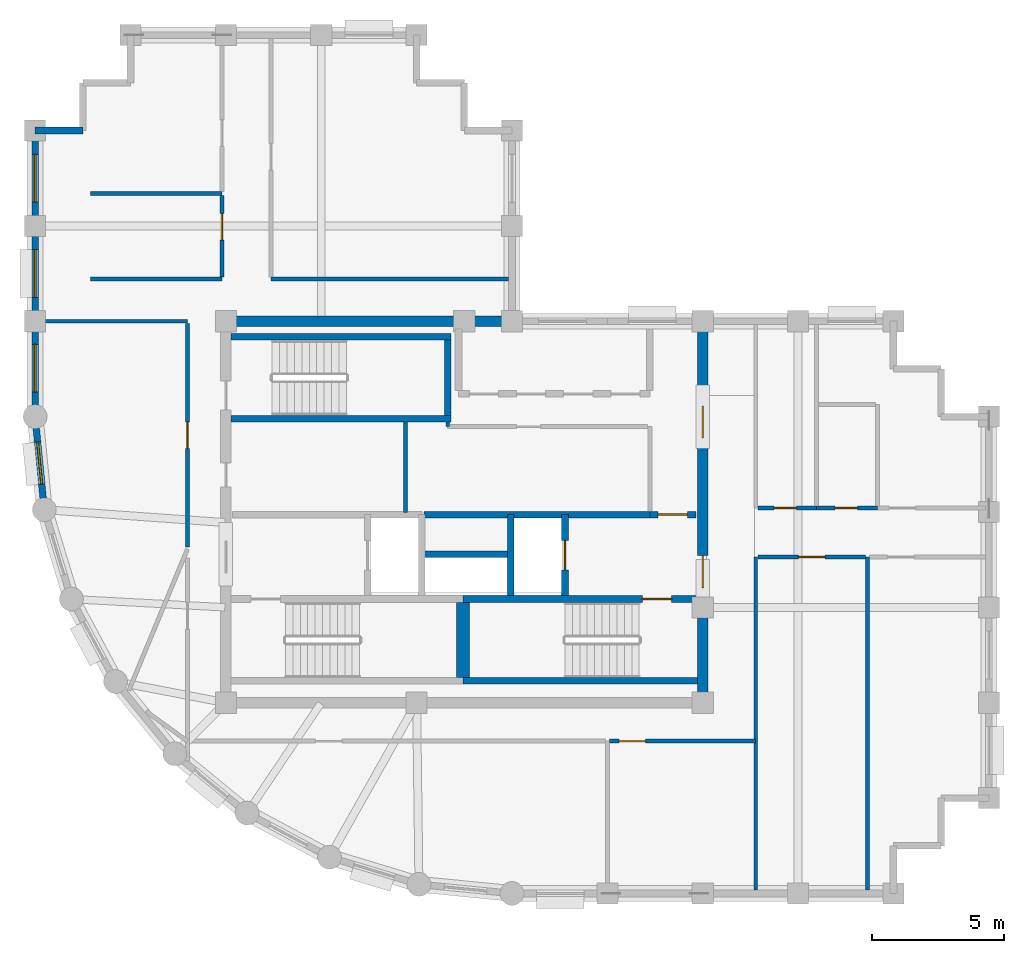
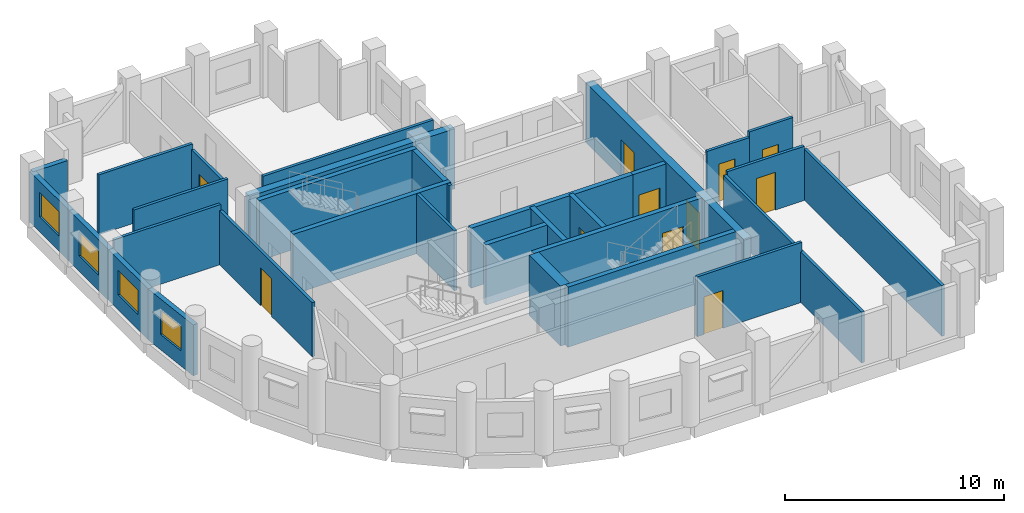
# One storey, part 3 of 7: 32 walls, 11 doors, 4 windows, 15 openings.
"""IFC4 building model written with IfcOpenShell, lengths in metres."""

from ifc_helpers import new_model, si_unit, direction, frame, frame_2d, origin, place, context, subcontext, project, spatial, rectangle, extrude, material, layer, layer_set, type_object, element, fill, save


model = new_model("IFC4")

# Units and contexts
model_context = context("Model", 3, precision=1e-05, world=origin(), true_north=direction((0.0, 1.0)))
body_context = subcontext(model_context, "Body", "Model", "MODEL_VIEW")
ifc_project = project(units=[si_unit("LENGTHUNIT", "METRE"), si_unit("AREAUNIT", "SQUARE_METRE"), si_unit("VOLUMEUNIT", "CUBIC_METRE"), si_unit("PLANEANGLEUNIT", "RADIAN"), si_unit("MASSUNIT", "GRAM", prefix="KILO")], contexts=[model_context])

# Site, building, storey
site_placement = place(None, origin())
site = spatial("IfcSite", under=ifc_project, at=site_placement, CompositionType="ELEMENT")
building_placement = place(site_placement, origin())
building = spatial("IfcBuilding", under=site, at=building_placement, Name="Solnavia Interchange Tower", CompositionType="ELEMENT")
storey_placement = place(building_placement, frame((0.0, 0.0, 259.39990234375)))
storey = spatial("IfcBuildingStorey", under=building, at=storey_placement, Name="L65", CompositionType="ELEMENT", Elevation=259.39990234375)

# Wall
ifc_material_1 = material(Name="Concrete C40/50", Category="concrete")
ifc_layer_1 = layer(ifc_material_1, 0.25)
ifc_layer_set_1 = layer_set([ifc_layer_1], Name="Concrete C40/50")
wall_type_1 = type_object("IfcWallType", Name="Wall-ExtSpandrel-250", PredefinedType="STANDARD", material=ifc_layer_set_1)
wall_1_placement = place(storey_placement, frame((7.199951171875, 32.39990234375, 0.0), z_axis=(0.0, 0.0, 1.0), x_axis=(1.0, 0.0, 0.0)))
element("IfcWall", 1, at=wall_1_placement, inside=storey, type_object=wall_type_1, Name="EXW-L65-33 Exterior precast spandrel wall", PredefinedType="STANDARD", context=body_context, shape_type="SweptSolid", body=[
    extrude(rectangle(XDim=1.800048828125, YDim=0.25, at=frame_2d((0.89990234375, 0.0))), origin(), (0.0, 0.0, 1.0), 2.830078125),
])

# Wall, opening, window
wall_2_placement = place(storey_placement, frame((7.199951171875, 28.800048828125, 0.0), z_axis=(0.0, 0.0, 1.0), x_axis=(0.0, 1.0, 0.0)))
wall_2 = element("IfcWall", 2, at=wall_2_placement, inside=storey, type_object=wall_type_1, Name="EXW-L65-34 Exterior precast spandrel wall", PredefinedType="STANDARD", context=body_context, shape_type="SweptSolid", body=[
    extrude(rectangle(XDim=3.599853515625, YDim=0.25, at=frame_2d((1.7998046875, 0.0))), origin(), (0.0, 0.0, 1.0), 2.830078125),
])
opening_1_placement = place(wall_2_placement, frame((0.89990234375, 0.0, 0.85009765625)))
opening_1 = element("IfcOpeningElement", 3, at=opening_1_placement, cuts=wall_2, Name="Opening WIN-02", PredefinedType="OPENING", context=body_context, shape_type="SweptSolid", body=[
    extrude(rectangle(XDim=1.800048828125, YDim=1.35009765625, at=frame_2d((0.89990234375, 0.675048828125))), frame((0.0, 0.135009765625, 0.0), z_axis=(0.0, -1.0, 0.0), x_axis=(1.0, 0.0, 0.0)), (0.0, 0.0, 1.0), 0.27001953125),
])
ifc_material_2 = material(Name="Thermal-Break Aluminium & Low-E Glass", Category="aluminium")
window_type_1 = type_object("IfcWindowType", Name="Window-Ribbon-1800x1350", PartitioningType="SINGLE_PANEL", PredefinedType="WINDOW", material=ifc_material_2)
window_1_placement = place(opening_1_placement, origin())
window_1 = element("IfcWindow", 4, at=window_1_placement, inside=storey, type_object=window_type_1, Name="WIN-L65-34 Facade ribbon window", OverallHeight=1.35009765625, OverallWidth=1.800048828125, PartitioningType="SINGLE_PANEL", PredefinedType="WINDOW", context=body_context, shape_type="SweptSolid", body=[
    extrude(rectangle(XDim=1.800048828125, YDim=1.35009765625, at=frame_2d((0.89990234375, 0.675048828125))), frame((0.0, 0.030029296875, 0.0), z_axis=(0.0, -1.0, 0.0), x_axis=(1.0, 0.0, 0.0)), (0.0, 0.0, 1.0), 0.06005859375),
])
fill(opening_1, window_1)

wall_3_placement = place(storey_placement, frame((7.199951171875, 25.199951171875, 0.0), z_axis=(0.0, 0.0, 1.0), x_axis=(0.0, 1.0, 0.0)))
wall_3 = element("IfcWall", 5, at=wall_3_placement, inside=storey, type_object=wall_type_1, Name="EXW-L65-35 Exterior precast spandrel wall", PredefinedType="STANDARD", context=body_context, shape_type="SweptSolid", body=[
    extrude(rectangle(XDim=3.60009765625, YDim=0.25, at=frame_2d((1.800048828125, 0.0))), origin(), (0.0, 0.0, 1.0), 2.830078125),
])
opening_2_placement = place(wall_3_placement, frame((0.89990234375, 0.0, 0.85009765625)))
opening_2 = element("IfcOpeningElement", 6, at=opening_2_placement, cuts=wall_3, Name="Opening WIN-02", PredefinedType="OPENING", context=body_context, shape_type="SweptSolid", body=[
    extrude(rectangle(XDim=1.800048828125, YDim=1.35009765625, at=frame_2d((0.89990234375, 0.675048828125))), frame((0.0, 0.135009765625, 0.0), z_axis=(0.0, -1.0, 0.0), x_axis=(1.0, 0.0, 0.0)), (0.0, 0.0, 1.0), 0.27001953125),
])
window_2_placement = place(opening_2_placement, origin())
window_2 = element("IfcWindow", 7, at=window_2_placement, inside=storey, type_object=window_type_1, Name="WIN-L65-35 Facade ribbon window", OverallHeight=1.35009765625, OverallWidth=1.800048828125, PartitioningType="SINGLE_PANEL", PredefinedType="WINDOW", context=body_context, shape_type="SweptSolid", body=[
    extrude(rectangle(XDim=1.800048828125, YDim=1.35009765625, at=frame_2d((0.89990234375, 0.675048828125))), frame((0.0, 0.030029296875, 0.0), z_axis=(0.0, -1.0, 0.0), x_axis=(1.0, 0.0, 0.0)), (0.0, 0.0, 1.0), 0.06005859375),
])
fill(opening_2, window_2)

wall_4_placement = place(storey_placement, frame((7.199951171875, 21.60009765625, 0.0), z_axis=(0.0, 0.0, 1.0), x_axis=(0.0, 1.0, 0.0)))
wall_4 = element("IfcWall", 8, at=wall_4_placement, inside=storey, type_object=wall_type_1, Name="EXW-L65-36 Exterior precast spandrel wall", PredefinedType="STANDARD", context=body_context, shape_type="SweptSolid", body=[
    extrude(rectangle(XDim=3.599853515625, YDim=0.25, at=frame_2d((1.7998046875, 0.0))), origin(), (0.0, 0.0, 1.0), 2.830078125),
])
opening_3_placement = place(wall_4_placement, frame((0.925048828125, 0.0, 0.85009765625)))
opening_3 = element("IfcOpeningElement", 9, at=opening_3_placement, cuts=wall_4, Name="Opening WIN-02", PredefinedType="OPENING", context=body_context, shape_type="SweptSolid", body=[
    extrude(rectangle(XDim=1.800048828125, YDim=1.35009765625, at=frame_2d((0.89990234375, 0.675048828125))), frame((0.0, 0.135009765625, 0.0), z_axis=(0.0, -1.0, 0.0), x_axis=(1.0, 0.0, 0.0)), (0.0, 0.0, 1.0), 0.27001953125),
])
window_3_placement = place(opening_3_placement, origin())
window_3 = element("IfcWindow", 10, at=window_3_placement, inside=storey, type_object=window_type_1, Name="WIN-L65-36 Facade ribbon window", OverallHeight=1.35009765625, OverallWidth=1.800048828125, PartitioningType="SINGLE_PANEL", PredefinedType="WINDOW", context=body_context, shape_type="SweptSolid", body=[
    extrude(rectangle(XDim=1.800048828125, YDim=1.35009765625, at=frame_2d((0.89990234375, 0.675048828125))), frame((0.0, 0.030029296875, 0.0), z_axis=(0.0, -1.0, 0.0), x_axis=(1.0, 0.0, 0.0)), (0.0, 0.0, 1.0), 0.06005859375),
])
fill(opening_3, window_3)

wall_5_placement = place(storey_placement, frame((7.5458984375, 18.087890625, 0.0), z_axis=(0.0, 0.0, 1.0), x_axis=(-0.09802417461, 0.995184033831, 0.0)))
wall_5 = element("IfcWall", 11, at=wall_5_placement, inside=storey, type_object=wall_type_1, Name="EXW-L65-37 Exterior precast spandrel wall", PredefinedType="STANDARD", context=body_context, shape_type="SweptSolid", body=[
    extrude(rectangle(XDim=3.529296875, YDim=0.25, at=frame_2d((1.7646484375, 0.0))), origin(), (0.0, 0.0, 1.0), 2.830078125),
])
opening_4_placement = place(wall_5_placement, frame((0.965087890625, 0.0, 0.85009765625)))
opening_4 = element("IfcOpeningElement", 12, at=opening_4_placement, cuts=wall_5, Name="Opening WIN-04", PredefinedType="OPENING", context=body_context, shape_type="SweptSolid", body=[
    extrude(rectangle(XDim=1.60009765625, YDim=1.35009765625, at=frame_2d((0.800048828125, 0.675048828125))), frame((0.0, 0.135009765625, 0.0), z_axis=(0.0, -1.0, 0.0), x_axis=(1.0, 0.0, 0.0)), (0.0, 0.0, 1.0), 0.27001953125),
])
window_type_2 = type_object("IfcWindowType", Name="Window-Drum-1600x1350", PartitioningType="SINGLE_PANEL", PredefinedType="WINDOW", material=ifc_material_2)
window_4_placement = place(opening_4_placement, origin())
window_4 = element("IfcWindow", 13, at=window_4_placement, inside=storey, type_object=window_type_2, Name="WIN-L65-37 Facade ribbon window", OverallHeight=1.35009765625, OverallWidth=1.60009765625, PartitioningType="SINGLE_PANEL", PredefinedType="WINDOW", context=body_context, shape_type="SweptSolid", body=[
    extrude(rectangle(XDim=1.60009765625, YDim=1.35009765625, at=frame_2d((0.800048828125, 0.675048828125))), frame((0.0, 0.030029296875, 0.0), z_axis=(0.0, -1.0, 0.0), x_axis=(1.0, 0.0, 0.0)), (0.0, 0.0, 1.0), 0.06005859375),
])
fill(opening_4, window_4)

# Walls
ifc_material_3 = material(Name="Gypsum Plasterboard & Steel Stud", Category="steel")
ifc_layer_2 = layer(ifc_material_3, 0.14990234375)
ifc_layer_set_2 = layer_set([ifc_layer_2], Name="Gypsum Plasterboard & Steel Stud")
wall_type_2 = type_object("IfcWallType", Name="Wall-Partition-150", PredefinedType="PARTITIONING", material=ifc_layer_set_2)
wall_6_placement = place(storey_placement, frame((22.77490234375, 21.219970703125, 0.0), z_axis=(0.0, 0.0, 1.0), x_axis=(0.0, 1.0, 0.0)))
element("IfcWall", 14, at=wall_6_placement, inside=storey, type_object=wall_type_2, Name="CSW-L65-ST-TIE Core shaft wall", PredefinedType="PARTITIONING", context=body_context, shape_type="SweptSolid", body=[
    extrude(rectangle(XDim=0.175048828125, YDim=0.14990234375, at=frame_2d((0.08740234375, 0.0))), origin(), (0.0, 0.0, 1.0), 3.335205078125),
])
wall_7_placement = place(storey_placement, frame((21.179931640625, 17.97998046875, 0.0), z_axis=(0.0, 0.0, 1.0), x_axis=(0.0, 1.0, 0.0)))
element("IfcWall", 15, at=wall_7_placement, inside=storey, type_object=wall_type_2, Name="CSW-L65-M0 Core shaft wall", PredefinedType="PARTITIONING", context=body_context, shape_type="SweptSolid", body=[
    extrude(rectangle(XDim=3.419921875, YDim=0.14990234375, at=frame_2d((1.7099609375, 0.0))), origin(), (0.0, 0.0, 1.0), 3.335205078125),
])
wall_8_placement = place(storey_placement, frame((7.3291015625, 25.199951171875, 0.0), z_axis=(0.0, 0.0, 1.0), x_axis=(1.0, 0.0, 0.0)))
element("IfcWall", 16, at=wall_8_placement, inside=storey, type_object=wall_type_2, Name="PTW-L65-07 Interior partition wall", PredefinedType="PARTITIONING", context=body_context, shape_type="SweptSolid", body=[
    extrude(rectangle(XDim=5.620849609375, YDim=0.14990234375, at=frame_2d((2.810546875, 0.0))), origin(), (0.0, 0.0, 1.0), 3.335205078125),
])

# Wall, opening, door
wall_9_placement = place(storey_placement, frame((12.949951171875, 16.678955078125, 0.0), z_axis=(0.0, 0.0, 1.0), x_axis=(0.0, 1.0, 0.0)))
wall_9 = element("IfcWall", 17, at=wall_9_placement, inside=storey, type_object=wall_type_2, Name="PTW-L65-11 Interior partition wall", PredefinedType="PARTITIONING", context=body_context, shape_type="SweptSolid", body=[
    extrude(rectangle(XDim=8.442138671875, YDim=0.14990234375, at=frame_2d((4.22119140625, 0.0))), origin(), (0.0, 0.0, 1.0), 3.02001953125),
])
opening_5_placement = place(wall_9_placement, frame((3.720947265625, 0.0, 0.0)))
opening_5 = element("IfcOpeningElement", 18, at=opening_5_placement, cuts=wall_9, Name="Opening DR-07", PredefinedType="OPENING", context=body_context, shape_type="SweptSolid", body=[
    extrude(rectangle(XDim=1.0, YDim=2.10009765625, at=frame_2d((0.5, 1.050048828125))), frame((0.0, 0.0849609375, 0.0), z_axis=(0.0, -1.0, 0.0), x_axis=(1.0, 0.0, 0.0)), (0.0, 0.0, 1.0), 0.169921875),
])
ifc_material_4 = material(Name="Timber & Acoustic Glazed Office Door", Category="wood")
door_type_1 = type_object("IfcDoorType", Name="Door-Office-1000x2100", OperationType="SINGLE_SWING_RIGHT", PredefinedType="DOOR", material=ifc_material_4)
door_1_placement = place(opening_5_placement, origin())
door_1 = element("IfcDoor", 19, at=door_1_placement, inside=storey, type_object=door_type_1, Name="DR-L65-03 Interior room door", OperationType="SINGLE_SWING_LEFT", OverallHeight=2.10009765625, OverallWidth=1.0, PredefinedType="DOOR", context=body_context, shape_type="SweptSolid", body=[
    extrude(rectangle(XDim=1.0, YDim=2.10009765625, at=frame_2d((0.5, 1.050048828125))), frame((0.0, 0.02490234375, 0.0), z_axis=(0.0, -1.0, 0.0), x_axis=(1.0, 0.0, 0.0)), (0.0, 0.0, 1.0), 0.050048828125),
])
fill(opening_5, door_1)

wall_10_placement = place(storey_placement, frame((28.87890625, 9.35009765625, 0.0), z_axis=(0.0, 0.0, 1.0), x_axis=(1.0, 0.0, 0.0)))
wall_10 = element("IfcWall", 20, at=wall_10_placement, inside=storey, type_object=wall_type_2, Name="PTW-L65-14 Interior partition wall", PredefinedType="PARTITIONING", context=body_context, shape_type="SweptSolid", body=[
    extrude(rectangle(XDim=5.52099609375, YDim=0.14990234375, at=frame_2d((2.760498046875, 0.0))), origin(), (0.0, 0.0, 1.0), 3.335205078125),
])
opening_6_placement = place(wall_10_placement, frame((0.360107421875, 0.0, 0.0)))
opening_6 = element("IfcOpeningElement", 21, at=opening_6_placement, cuts=wall_10, Name="Opening DR-07", PredefinedType="OPENING", context=body_context, shape_type="SweptSolid", body=[
    extrude(rectangle(XDim=1.0, YDim=2.10009765625, at=frame_2d((0.5, 1.050048828125))), frame((0.0, 0.0849609375, 0.0), z_axis=(0.0, -1.0, 0.0), x_axis=(1.0, 0.0, 0.0)), (0.0, 0.0, 1.0), 0.169921875),
])
door_2_placement = place(opening_6_placement, origin())
door_2 = element("IfcDoor", 22, at=door_2_placement, inside=storey, type_object=door_type_1, Name="DR-L65-06 Interior room door", OperationType="SINGLE_SWING_LEFT", OverallHeight=2.10009765625, OverallWidth=1.0, PredefinedType="DOOR", context=body_context, shape_type="SweptSolid", body=[
    extrude(rectangle(XDim=1.0, YDim=2.10009765625, at=frame_2d((0.5, 1.050048828125))), frame((0.0, 0.02490234375, 0.0), z_axis=(0.0, -1.0, 0.0), x_axis=(1.0, 0.0, 0.0)), (0.0, 0.0, 1.0), 0.050048828125),
])
fill(opening_6, door_2)

# Walls
for number, where, z_axis, x_axis, name in (
    (23, (34.39990234375, 3.72900390625, 0.0), (0.0, 0.0, 1.0), (0.0, 1.0, 0.0), "PTW-L65-15 Interior partition wall"),
    (24, (38.6201171875, 3.72900390625, 0.0), (0.0, 0.0, 1.0), (0.0, 1.0, 0.0), "PTW-L65-16 Interior partition wall"),
):
    element("IfcWall", number, at=place(storey_placement, frame(where, z_axis=z_axis, x_axis=x_axis)), inside=storey, type_object=wall_type_2, Name=name, PredefinedType="PARTITIONING", context=body_context, shape_type="SweptSolid", body=[
        extrude(rectangle(XDim=12.571044921875, YDim=0.14990234375, at=frame_2d((6.28564453125, 0.0))), origin(), (0.0, 0.0, 1.0), 2.830078125),
    ])

# Wall, opening, door
wall_11_placement = place(storey_placement, frame((34.47900390625, 16.300048828125, 0.0), z_axis=(0.0, 0.0, 1.0), x_axis=(1.0, 0.0, 0.0)))
wall_11 = element("IfcWall", 25, at=wall_11_placement, inside=storey, type_object=wall_type_2, Name="PTW-L65-17 Interior partition wall", PredefinedType="PARTITIONING", context=body_context, shape_type="SweptSolid", body=[
    extrude(rectangle(XDim=4.06201171875, YDim=0.14990234375, at=frame_2d((2.031005859375, 0.0))), origin(), (0.0, 0.0, 1.0), 3.02001953125),
])
opening_7_placement = place(wall_11_placement, frame((1.531005859375, 0.0, 0.0)))
opening_7 = element("IfcOpeningElement", 26, at=opening_7_placement, cuts=wall_11, Name="Opening DR-07", PredefinedType="OPENING", context=body_context, shape_type="SweptSolid", body=[
    extrude(rectangle(XDim=1.0, YDim=2.10009765625, at=frame_2d((0.5, 1.050048828125))), frame((0.0, 0.0849609375, 0.0), z_axis=(0.0, -1.0, 0.0), x_axis=(1.0, 0.0, 0.0)), (0.0, 0.0, 1.0), 0.169921875),
])
door_3_placement = place(opening_7_placement, origin())
door_3 = element("IfcDoor", 27, at=door_3_placement, inside=storey, type_object=door_type_1, Name="DR-L65-07 Interior room door", OperationType="SINGLE_SWING_LEFT", OverallHeight=2.10009765625, OverallWidth=1.0, PredefinedType="DOOR", context=body_context, shape_type="SweptSolid", body=[
    extrude(rectangle(XDim=1.0, YDim=2.10009765625, at=frame_2d((0.5, 1.050048828125))), frame((0.0, 0.02490234375, 0.0), z_axis=(0.0, -1.0, 0.0), x_axis=(1.0, 0.0, 0.0)), (0.0, 0.0, 1.0), 0.050048828125),
])
fill(opening_7, door_3)

# Walls
for number, where, z_axis, x_axis, name in (
    (28, (9.300048828125, 26.800048828125, 0.0), (0.0, 0.0, 1.0), (1.0, 0.0, 0.0), "PTW-L65-20 Interior partition wall"),
    (29, (9.300048828125, 30.02001953125, 0.0), (0.0, 0.0, 1.0), (1.0, 0.0, 0.0), "PTW-L65-21 Interior partition wall"),
):
    element("IfcWall", number, at=place(storey_placement, frame(where, z_axis=z_axis, x_axis=x_axis)), inside=storey, type_object=wall_type_2, Name=name, PredefinedType="PARTITIONING", context=body_context, shape_type="SweptSolid", body=[
        extrude(rectangle(XDim=4.949951171875, YDim=0.14990234375, at=frame_2d((2.47509765625, 0.0))), origin(), (0.0, 0.0, 1.0), 3.335205078125),
    ])

# Wall, opening, door
wall_12_placement = place(storey_placement, frame((14.25, 26.87890625, 0.0), z_axis=(0.0, 0.0, 1.0), x_axis=(0.0, 1.0, 0.0)))
wall_12 = element("IfcWall", 30, at=wall_12_placement, inside=storey, type_object=wall_type_2, Name="PTW-L65-22 Interior partition wall", PredefinedType="PARTITIONING", context=body_context, shape_type="SweptSolid", body=[
    extrude(rectangle(XDim=3.06201171875, YDim=0.14990234375, at=frame_2d((1.531005859375, 0.0))), origin(), (0.0, 0.0, 1.0), 3.030029296875),
])
opening_8_placement = place(wall_12_placement, frame((1.385986328125, 0.0, 0.0)))
opening_8 = element("IfcOpeningElement", 31, at=opening_8_placement, cuts=wall_12, Name="Opening DR-07", PredefinedType="OPENING", context=body_context, shape_type="SweptSolid", body=[
    extrude(rectangle(XDim=1.0, YDim=2.10009765625, at=frame_2d((0.5, 1.050048828125))), frame((0.0, 0.0849609375, 0.0), z_axis=(0.0, -1.0, 0.0), x_axis=(1.0, 0.0, 0.0)), (0.0, 0.0, 1.0), 0.169921875),
])
door_4_placement = place(opening_8_placement, origin())
door_4 = element("IfcDoor", 32, at=door_4_placement, inside=storey, type_object=door_type_1, Name="DR-L65-10 Interior room door", OperationType="SINGLE_SWING_RIGHT", OverallHeight=2.10009765625, OverallWidth=1.0, PredefinedType="DOOR", context=body_context, shape_type="SweptSolid", body=[
    extrude(rectangle(XDim=1.0, YDim=2.10009765625, at=frame_2d((0.5, 1.050048828125))), frame((0.0, 0.02490234375, 0.0), z_axis=(0.0, -1.0, 0.0), x_axis=(1.0, 0.0, 0.0)), (0.0, 0.0, 1.0), 0.050048828125),
])
fill(opening_8, door_4)

# Walls
wall_13_placement = place(storey_placement, frame((16.10009765625, 26.800048828125, 0.0), z_axis=(0.0, 0.0, 1.0), x_axis=(1.0, 0.0, 0.0)))
element("IfcWall", 33, at=wall_13_placement, inside=storey, type_object=wall_type_2, Name="PTW-L65-24 Interior partition wall", PredefinedType="PARTITIONING", context=body_context, shape_type="SweptSolid", body=[
    extrude(rectangle(XDim=8.970947265625, YDim=0.14990234375, at=frame_2d((4.4853515625, 0.0))), origin(), (0.0, 0.0, 1.0), 2.830078125),
])
ifc_layer_3 = layer(ifc_material_1, 0.25)
ifc_layer_set_3 = layer_set([ifc_layer_3], Name="Concrete C40/50")
wall_type_3 = type_object("IfcWallType", Name="Wall-ShaftCore-250", PredefinedType="SHEAR", material=ifc_layer_set_3)
wall_14_placement = place(storey_placement, frame((23.35009765625, 11.625, 0.0), z_axis=(0.0, 0.0, 1.0), x_axis=(1.0, 0.0, 0.0)))
element("IfcWall", 34, at=wall_14_placement, inside=storey, type_object=wall_type_3, Name="SHW-L65-ST2S Core shear wall", PredefinedType="SHEAR", context=body_context, shape_type="SweptSolid", body=[
    extrude(rectangle(XDim=8.849853515625, YDim=0.25, at=frame_2d((4.4248046875, 0.0))), origin(), (0.0, 0.0, 1.0), 3.35009765625),
])

# Wall, opening, door
wall_15_placement = place(storey_placement, frame((23.35009765625, 14.715087890625, 0.0), z_axis=(0.0, 0.0, 1.0), x_axis=(1.0, 0.0, 0.0)))
wall_15 = element("IfcWall", 35, at=wall_15_placement, inside=storey, type_object=wall_type_3, Name="SHW-L65-ST2N Core shear wall", PredefinedType="SHEAR", context=body_context, shape_type="SweptSolid", body=[
    extrude(rectangle(XDim=8.849853515625, YDim=0.25, at=frame_2d((4.4248046875, 0.0))), origin(), (0.0, 0.0, 1.0), 3.35009765625),
])
opening_9_placement = place(wall_15_placement, frame((6.77490234375, 0.0, 0.0)))
opening_9 = element("IfcOpeningElement", 36, at=opening_9_placement, cuts=wall_15, Name="Opening DR-01", PredefinedType="OPENING", context=body_context, shape_type="SweptSolid", body=[
    extrude(rectangle(XDim=1.10009765625, YDim=2.10009765625, at=frame_2d((0.550048828125, 1.050048828125))), frame((0.0, 0.135009765625, 0.0), z_axis=(0.0, -1.0, 0.0), x_axis=(1.0, 0.0, 0.0)), (0.0, 0.0, 1.0), 0.27001953125),
])
ifc_material_5 = material(Name="Steel Fire-Rated Leaf & Frame", Category="steel")
door_type_2 = type_object("IfcDoorType", Name="Door-StairFire-1100x2100", OperationType="SINGLE_SWING_LEFT", PredefinedType="DOOR", material=ifc_material_5)
door_5_placement = place(opening_9_placement, origin())
door_5 = element("IfcDoor", 37, at=door_5_placement, inside=storey, type_object=door_type_2, Name="DR-L65-ST2 Core fire door", OperationType="SINGLE_SWING_LEFT", OverallHeight=2.10009765625, OverallWidth=1.10009765625, PredefinedType="DOOR", context=body_context, shape_type="SweptSolid", body=[
    extrude(rectangle(XDim=1.10009765625, YDim=2.10009765625, at=frame_2d((0.550048828125, 1.050048828125))), frame((0.0, 0.02490234375, 0.0), z_axis=(0.0, -1.0, 0.0), x_axis=(1.0, 0.0, 0.0)), (0.0, 0.0, 1.0), 0.050048828125),
])
fill(opening_9, door_5)

# Walls
for number, where, z_axis, x_axis, name in (
    (38, (14.60009765625, 21.52490234375, 0.0), (0.0, 0.0, 1.0), (1.0, 0.0, 0.0), "SHW-L65-ST3S Core shear wall"),
    (39, (14.60009765625, 24.614990234375, 0.0), (0.0, 0.0, 1.0), (1.0, 0.0, 0.0), "SHW-L65-ST3N Core shear wall"),
):
    element("IfcWall", number, at=place(storey_placement, frame(where, z_axis=z_axis, x_axis=x_axis)), inside=storey, type_object=wall_type_3, Name=name, PredefinedType="SHEAR", context=body_context, shape_type="SweptSolid", body=[
        extrude(rectangle(XDim=8.2998046875, YDim=0.25, at=frame_2d((4.14990234375, 0.0))), origin(), (0.0, 0.0, 1.0), 3.35009765625),
    ])
wall_16_placement = place(storey_placement, frame((22.77490234375, 21.64990234375, 0.0), z_axis=(0.0, 0.0, 1.0), x_axis=(0.0, 1.0, 0.0)))
element("IfcWall", 40, at=wall_16_placement, inside=storey, type_object=wall_type_3, Name="SHW-L65-ST3E Core shear wall", PredefinedType="SHEAR", context=body_context, shape_type="SweptSolid", body=[
    extrude(rectangle(XDim=2.840087890625, YDim=0.25, at=frame_2d((1.419921875, 0.0))), origin(), (0.0, 0.0, 1.0), 3.35009765625),
])
ifc_layer_4 = layer(ifc_material_1, 0.25)
ifc_layer_set_4 = layer_set([ifc_layer_4], Name="Concrete C40/50")
wall_type_4 = type_object("IfcWallType", Name="Wall-ShaftPart-250", PredefinedType="PARTITIONING", material=ifc_layer_set_4)
wall_17_placement = place(storey_placement, frame((21.8798828125, 17.89990234375, 0.0), z_axis=(0.0, 0.0, 1.0), x_axis=(1.0, 0.0, 0.0)))
element("IfcWall", 41, at=wall_17_placement, inside=storey, type_object=wall_type_4, Name="SHW-L65-FFLE-N1 Core shaft wall", PredefinedType="PARTITIONING", context=body_context, shape_type="SweptSolid", body=[
    extrude(rectangle(XDim=8.52001953125, YDim=0.25, at=frame_2d((4.260009765625, 0.0))), origin(), (0.0, 0.0, 1.0), 3.335205078125),
])

# Wall, opening, door
wall_18_placement = place(storey_placement, frame((30.39990234375, 17.89990234375, 0.0), z_axis=(0.0, 0.0, 1.0), x_axis=(1.0, 0.0, 0.0)))
wall_18 = element("IfcWall", 42, at=wall_18_placement, inside=storey, type_object=wall_type_4, Name="SHW-L65-FFLE-N2 Core shaft wall", PredefinedType="PARTITIONING", context=body_context, shape_type="SweptSolid", body=[
    extrude(rectangle(XDim=1.75, YDim=0.25, at=frame_2d((0.875, 0.0))), origin(), (0.0, 0.0, 1.0), 3.335205078125),
])
opening_10_placement = place(wall_18_placement, frame((0.320068359375, 0.0, 0.0)))
opening_10 = element("IfcOpeningElement", 43, at=opening_10_placement, cuts=wall_18, Name="Opening DR-01", PredefinedType="OPENING", context=body_context, shape_type="SweptSolid", body=[
    extrude(rectangle(XDim=1.10009765625, YDim=2.10009765625, at=frame_2d((0.550048828125, 1.050048828125))), frame((0.0, 0.135009765625, 0.0), z_axis=(0.0, -1.0, 0.0), x_axis=(1.0, 0.0, 0.0)), (0.0, 0.0, 1.0), 0.27001953125),
])
door_6_placement = place(opening_10_placement, origin())
door_6 = element("IfcDoor", 44, at=door_6_placement, inside=storey, type_object=door_type_2, Name="DR-L65-LLC Core fire door", OperationType="SINGLE_SWING_LEFT", OverallHeight=2.10009765625, OverallWidth=1.10009765625, PredefinedType="DOOR", context=body_context, shape_type="SweptSolid", body=[
    extrude(rectangle(XDim=1.10009765625, YDim=2.10009765625, at=frame_2d((0.550048828125, 1.050048828125))), frame((0.0, 0.02490234375, 0.0), z_axis=(0.0, -1.0, 0.0), x_axis=(1.0, 0.0, 0.0)), (0.0, 0.0, 1.0), 0.050048828125),
])
fill(opening_10, door_6)

# Wall
wall_19_placement = place(storey_placement, frame((25.14990234375, 14.840087890625, 0.0), z_axis=(0.0, 0.0, 1.0), x_axis=(0.0, 1.0, 0.0)))
element("IfcWall", 45, at=wall_19_placement, inside=storey, type_object=wall_type_4, Name="SHW-L65-FFL2-W Core shaft wall", PredefinedType="PARTITIONING", context=body_context, shape_type="SweptSolid", body=[
    extrude(rectangle(XDim=3.059814453125, YDim=0.25, at=frame_2d((1.52978515625, 0.0))), origin(), (0.0, 0.0, 1.0), 3.335205078125),
])

# Wall, opening, door
wall_20_placement = place(storey_placement, frame((27.199951171875, 14.840087890625, 0.0), z_axis=(0.0, 0.0, 1.0), x_axis=(0.0, 1.0, 0.0)))
wall_20 = element("IfcWall", 46, at=wall_20_placement, inside=storey, type_object=wall_type_4, Name="SHW-L65-FFL2-E Core shaft wall", PredefinedType="PARTITIONING", context=body_context, shape_type="SweptSolid", body=[
    extrude(rectangle(XDim=3.059814453125, YDim=0.25, at=frame_2d((1.52978515625, 0.0))), origin(), (0.0, 0.0, 1.0), 3.335205078125),
])
opening_11_placement = place(wall_20_placement, frame((0.97998046875, 0.0, 0.0)))
opening_11 = element("IfcOpeningElement", 47, at=opening_11_placement, cuts=wall_20, Name="Opening LD-01", PredefinedType="OPENING", context=body_context, shape_type="SweptSolid", body=[
    extrude(rectangle(XDim=1.10009765625, YDim=2.10009765625, at=frame_2d((0.550048828125, 1.050048828125))), frame((0.0, 0.135009765625, 0.0), z_axis=(0.0, -1.0, 0.0), x_axis=(1.0, 0.0, 0.0)), (0.0, 0.0, 1.0), 0.27001953125),
])
ifc_material_6 = material(Name="Brushed Stainless Steel Sliding Door", Category="steel")
door_type_3 = type_object("IfcDoorType", Name="Door-LiftLanding-1100x2100", OperationType="SLIDING_TO_LEFT", PredefinedType="DOOR", material=ifc_material_6)
door_7_placement = place(opening_11_placement, origin())
door_7 = element("IfcDoor", 48, at=door_7_placement, inside=storey, type_object=door_type_3, Name="LD-L65-FFL2 Lift landing sliding door", OperationType="SLIDING_TO_LEFT", OverallHeight=2.10009765625, OverallWidth=1.10009765625, PredefinedType="DOOR", context=body_context, shape_type="SweptSolid", body=[
    extrude(rectangle(XDim=1.10009765625, YDim=2.10009765625, at=frame_2d((0.550048828125, 1.050048828125))), frame((0.0, 0.02490234375, 0.0), z_axis=(0.0, -1.0, 0.0), x_axis=(1.0, 0.0, 0.0)), (0.0, 0.0, 1.0), 0.050048828125),
])
fill(opening_11, door_7)

# Walls
wall_21_placement = place(storey_placement, frame((21.800048828125, 16.39990234375, 0.0), z_axis=(0.0, 0.0, 1.0), x_axis=(1.0, 0.0, 0.0)))
element("IfcWall", 49, at=wall_21_placement, inside=storey, type_object=wall_type_4, Name="SHW-L65-MEP-N Core shaft wall", PredefinedType="PARTITIONING", context=body_context, shape_type="SweptSolid", body=[
    extrude(rectangle(XDim=3.349853515625, YDim=0.25, at=frame_2d((1.6748046875, 0.0))), origin(), (0.0, 0.0, 1.0), 3.335205078125),
])
ifc_material_7 = material(Name="Concrete C50/60", Category="concrete")
ifc_layer_5 = layer(ifc_material_7, 0.39990234375)
ifc_layer_set_5 = layer_set([ifc_layer_5], Name="Concrete C50/60")
wall_type_5 = type_object("IfcWallType", Name="Wall-ShearCore-400", PredefinedType="SHEAR", material=ifc_layer_set_5)
wall_22_placement = place(storey_placement, frame((14.39990234375, 25.199951171875, 0.0), z_axis=(0.0, 0.0, 1.0), x_axis=(1.0, 0.0, 0.0)))
element("IfcWall", 50, at=wall_22_placement, inside=storey, type_object=wall_type_5, Name="CRW-L65-N Core shear wall", PredefinedType="SHEAR", context=body_context, shape_type="SweptSolid", body=[
    extrude(rectangle(XDim=10.800048828125, YDim=0.39990234375, at=frame_2d((5.39990234375, 0.0))), origin(), (0.0, 0.0, 1.0), 3.35009765625),
])

# Wall, openings, doors
wall_23_placement = place(storey_placement, frame((32.39990234375, 10.800048828125, 0.0), z_axis=(0.0, 0.0, 1.0), x_axis=(0.0, 1.0, 0.0)))
wall_23 = element("IfcWall", 51, at=wall_23_placement, inside=storey, type_object=wall_type_5, Name="CRW-L65-E Core shear wall", PredefinedType="SHEAR", context=body_context, shape_type="SweptSolid", body=[
    extrude(rectangle(XDim=14.39990234375, YDim=0.39990234375, at=frame_2d((7.199951171875, 0.0))), origin(), (0.0, 0.0, 1.0), 3.35009765625),
])
opening_12_placement = place(wall_23_placement, frame((4.35009765625, 0.0, 0.0)))
opening_12 = element("IfcOpeningElement", 52, at=opening_12_placement, cuts=wall_23, Name="Opening DR-02", PredefinedType="OPENING", context=body_context, shape_type="SweptSolid", body=[
    extrude(rectangle(XDim=1.199951171875, YDim=2.10009765625, at=frame_2d((0.60009765625, 1.050048828125))), frame((0.0, 0.2099609375, 0.0), z_axis=(0.0, -1.0, 0.0), x_axis=(1.0, 0.0, 0.0)), (0.0, 0.0, 1.0), 0.419921875),
])
opening_13_placement = place(wall_23_placement, frame((10.0, 0.0, 0.0)))
opening_13 = element("IfcOpeningElement", 53, at=opening_13_placement, cuts=wall_23, Name="Opening DR-02", PredefinedType="OPENING", context=body_context, shape_type="SweptSolid", body=[
    extrude(rectangle(XDim=1.199951171875, YDim=2.10009765625, at=frame_2d((0.60009765625, 1.050048828125))), frame((0.0, 0.2099609375, 0.0), z_axis=(0.0, -1.0, 0.0), x_axis=(1.0, 0.0, 0.0)), (0.0, 0.0, 1.0), 0.419921875),
])
ifc_material_8 = material(Name="Steel Fire-Rated Vision-Panel Door", Category="steel")
door_type_4 = type_object("IfcDoorType", Name="Door-LobbyFire-1200x2100", OperationType="SINGLE_SWING_RIGHT", PredefinedType="DOOR", material=ifc_material_8)
door_8_placement = place(opening_12_placement, origin())
door_8 = element("IfcDoor", 54, at=door_8_placement, inside=storey, type_object=door_type_4, Name="DR-L65-FFL2E Core fire door", OperationType="SINGLE_SWING_LEFT", OverallHeight=2.10009765625, OverallWidth=1.199951171875, PredefinedType="DOOR", context=body_context, shape_type="SweptSolid", body=[
    extrude(rectangle(XDim=1.199951171875, YDim=2.10009765625, at=frame_2d((0.60009765625, 1.050048828125))), frame((0.0, 0.02490234375, 0.0), z_axis=(0.0, -1.0, 0.0), x_axis=(1.0, 0.0, 0.0)), (0.0, 0.0, 1.0), 0.050048828125),
])
fill(opening_12, door_8)
door_9_placement = place(opening_13_placement, origin())
door_9 = element("IfcDoor", 55, at=door_9_placement, inside=storey, type_object=door_type_4, Name="DR-L65-LLE Core fire door", OperationType="SINGLE_SWING_RIGHT", OverallHeight=2.10009765625, OverallWidth=1.199951171875, PredefinedType="DOOR", context=body_context, shape_type="SweptSolid", body=[
    extrude(rectangle(XDim=1.199951171875, YDim=2.10009765625, at=frame_2d((0.60009765625, 1.050048828125))), frame((0.0, 0.02490234375, 0.0), z_axis=(0.0, -1.0, 0.0), x_axis=(1.0, 0.0, 0.0)), (0.0, 0.0, 1.0), 0.050048828125),
])
fill(opening_13, door_9)

# Wall
ifc_material_9 = material(Name="Concrete C60/75", Category="concrete")
ifc_layer_6 = layer(ifc_material_9, 0.5)
ifc_layer_set_6 = layer_set([ifc_layer_6], Name="Concrete C60/75")
wall_type_6 = type_object("IfcWallType", Name="Wall-ShearCore-500", PredefinedType="SHEAR", material=ifc_layer_set_6)
wall_24_placement = place(storey_placement, frame((23.35009765625, 11.75, 0.0), z_axis=(0.0, 0.0, 1.0), x_axis=(0.0, 1.0, 0.0)))
element("IfcWall", 56, at=wall_24_placement, inside=storey, type_object=wall_type_6, Name="SHW-L65-ST12M Core shear wall", PredefinedType="SHEAR", context=body_context, shape_type="SweptSolid", body=[
    extrude(rectangle(XDim=2.840087890625, YDim=0.5, at=frame_2d((1.419921875, 0.0))), origin(), (0.0, 0.0, 1.0), 3.35009765625),
])

# Wall, opening, door
ifc_material_10 = material(Name="Moisture-Resistant Gypsum & Steel Stud", Category="steel")
ifc_layer_7 = layer(ifc_material_10, 0.14990234375)
ifc_layer_set_7 = layer_set([ifc_layer_7], Name="Moisture-Resistant Gypsum & Steel Stud")
wall_type_7 = type_object("IfcWallType", Name="Wall-WetRoom-150", PredefinedType="PARTITIONING", material=ifc_layer_set_7)
wall_25_placement = place(storey_placement, frame((34.47900390625, 18.14990234375, 0.0), z_axis=(0.0, 0.0, 1.0), x_axis=(1.0, 0.0, 0.0)))
wall_25 = element("IfcWall", 57, at=wall_25_placement, inside=storey, type_object=wall_type_7, Name="PTW-L65-02 Interior partition wall", PredefinedType="PARTITIONING", context=body_context, shape_type="SweptSolid", body=[
    extrude(rectangle(XDim=2.220947265625, YDim=0.14990234375, at=frame_2d((1.1103515625, 0.0))), origin(), (0.0, 0.0, 1.0), 3.02001953125),
])
opening_14_placement = place(wall_25_placement, frame((0.617919921875, 0.0, 0.0)))
opening_14 = element("IfcOpeningElement", 58, at=opening_14_placement, cuts=wall_25, Name="Opening DR-10", PredefinedType="OPENING", context=body_context, shape_type="SweptSolid", body=[
    extrude(rectangle(XDim=0.85009765625, YDim=2.10009765625, at=frame_2d((0.425048828125, 1.050048828125))), frame((0.0, 0.0849609375, 0.0), z_axis=(0.0, -1.0, 0.0), x_axis=(1.0, 0.0, 0.0)), (0.0, 0.0, 1.0), 0.169921875),
])
ifc_material_11 = material(Name="Moisture-Resistant Timber Door", Category="wood")
door_type_5 = type_object("IfcDoorType", Name="Door-Bathroom-850x2100", OperationType="SINGLE_SWING_RIGHT", PredefinedType="DOOR", material=ifc_material_11)
door_10_placement = place(opening_14_placement, origin())
door_10 = element("IfcDoor", 59, at=door_10_placement, inside=storey, type_object=door_type_5, Name="DR-L65-01 Interior room door", OperationType="SINGLE_SWING_LEFT", OverallHeight=2.10009765625, OverallWidth=0.85009765625, PredefinedType="DOOR", context=body_context, shape_type="SweptSolid", body=[
    extrude(rectangle(XDim=0.85009765625, YDim=2.10009765625, at=frame_2d((0.425048828125, 1.050048828125))), frame((0.0, 0.02490234375, 0.0), z_axis=(0.0, -1.0, 0.0), x_axis=(1.0, 0.0, 0.0)), (0.0, 0.0, 1.0), 0.050048828125),
])
fill(opening_14, door_10)

wall_26_placement = place(storey_placement, frame((36.699951171875, 18.14990234375, 0.0), z_axis=(0.0, 0.0, 1.0), x_axis=(1.0, 0.0, 0.0)))
wall_26 = element("IfcWall", 60, at=wall_26_placement, inside=storey, type_object=wall_type_7, Name="PTW-L65-04 Interior partition wall", PredefinedType="PARTITIONING", context=body_context, shape_type="SweptSolid", body=[
    extrude(rectangle(XDim=2.300048828125, YDim=0.14990234375, at=frame_2d((1.14990234375, 0.0))), origin(), (0.0, 0.0, 1.0), 3.335205078125),
])
opening_15_placement = place(wall_26_placement, frame((0.697021484375, 0.0, 0.0)))
opening_15 = element("IfcOpeningElement", 61, at=opening_15_placement, cuts=wall_26, Name="Opening DR-10", PredefinedType="OPENING", context=body_context, shape_type="SweptSolid", body=[
    extrude(rectangle(XDim=0.85009765625, YDim=2.10009765625, at=frame_2d((0.425048828125, 1.050048828125))), frame((0.0, 0.0849609375, 0.0), z_axis=(0.0, -1.0, 0.0), x_axis=(1.0, 0.0, 0.0)), (0.0, 0.0, 1.0), 0.169921875),
])
door_11_placement = place(opening_15_placement, origin())
door_11 = element("IfcDoor", 62, at=door_11_placement, inside=storey, type_object=door_type_5, Name="DR-L65-02 Interior room door", OperationType="SINGLE_SWING_RIGHT", OverallHeight=2.10009765625, OverallWidth=0.85009765625, PredefinedType="DOOR", context=body_context, shape_type="SweptSolid", body=[
    extrude(rectangle(XDim=0.85009765625, YDim=2.10009765625, at=frame_2d((0.425048828125, 1.050048828125))), frame((0.0, 0.02490234375, 0.0), z_axis=(0.0, -1.0, 0.0), x_axis=(1.0, 0.0, 0.0)), (0.0, 0.0, 1.0), 0.050048828125),
])
fill(opening_15, door_11)

save(model, "model.ifc")
